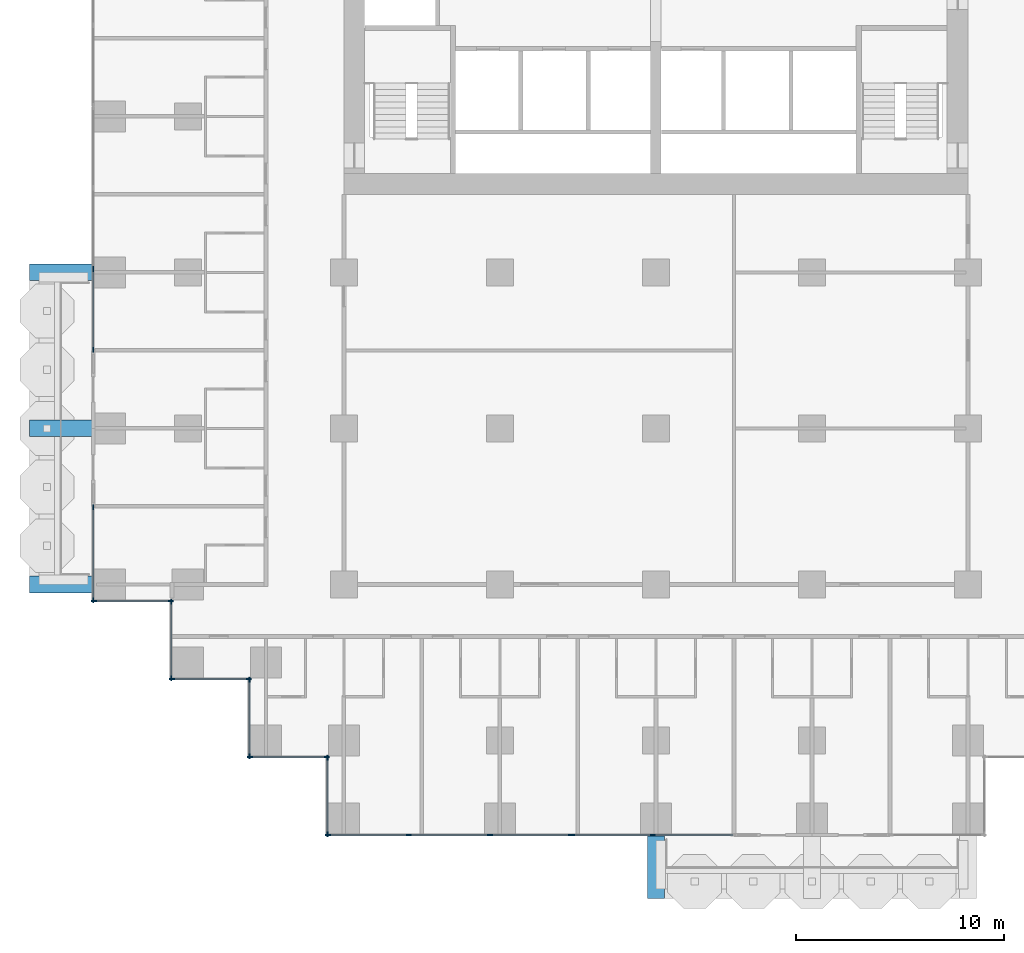
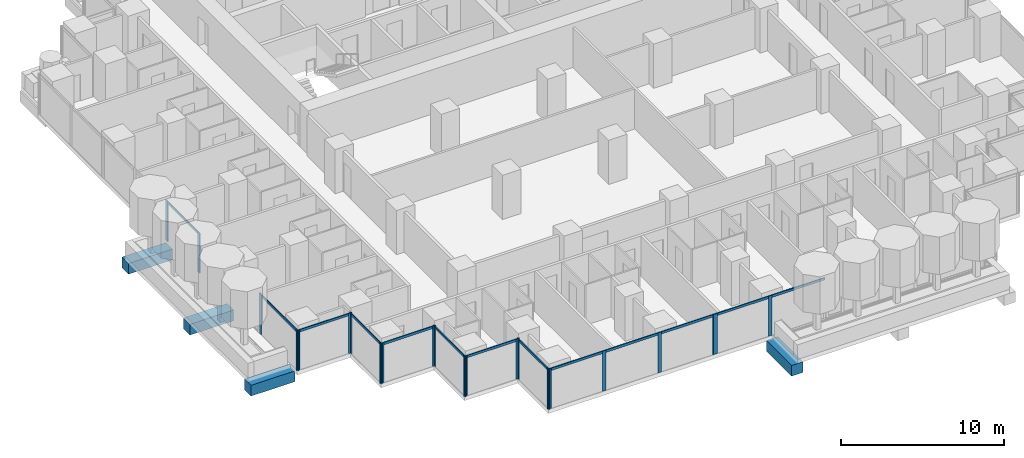
# One storey, part 2 of 20: 35 members, 4 beams, 10 elements without a shape of their own.
"""IFC4 building model written with IfcOpenShell, lengths in metres."""

import ifcopenshell
import ifcopenshell.guid

model = None  # the IFC model being written
_history = None  # IfcOwnerHistory: only IFC2X3 demands one
_inside = {}  # id of a spatial element -> (the spatial element, [elements in it])
_under = {}  # id of a project, library or spatial element -> (it, [spatial elements below it])
_declared = {}  # id of a project -> (the project, [libraries it declares])
_typed = {}  # id of a type object -> (the type object, [elements of that type])
_made_of = {}  # id of a material, layer set ... -> (it, [elements and type objects made of it])


def new_model(schema):
    """Start an empty IFC model of exactly this schema.

    Asked for "IFC4X3", IfcOpenShell would pick the latest addendum, in which some entities
    have other attributes; the version numbers below select the first issue.
    IFC2X3 requires an IfcOwnerHistory on every rooted entity: one is made here for all.
    """
    global model, _history
    if schema == "IFC4X3":
        model = ifcopenshell.file(schema_version=(4, 3, 0, 0))
    else:
        model = ifcopenshell.file(schema=schema)
    _inside.clear()
    _under.clear()
    _declared.clear()
    _typed.clear()
    _made_of.clear()
    _history = None
    if model.schema == "IFC2X3":
        org = make("IfcOrganization", Name="unknown")
        user = make(
            "IfcPersonAndOrganization",
            ThePerson=make("IfcPerson", FamilyName="unknown"),
            TheOrganization=org,
        )
        app = make(
            "IfcApplication",
            ApplicationDeveloper=org,
            Version="unknown",
            ApplicationFullName="unknown",
            ApplicationIdentifier="unknown",
        )
        _history = make(
            "IfcOwnerHistory",
            OwningUser=user,
            OwningApplication=app,
            ChangeAction="ADDED",
            CreationDate=0,
        )
    return model


def make(cls, **values):
    """One entity of the class cls with the attributes given. An attribute that is None is left unset."""
    return model.create_entity(
        cls, **{name: value for name, value in values.items() if value is not None}
    )


def rooted(cls, **values):
    """An entity with a GlobalId (a new one), such as an element, a storey or a relation."""
    return make(cls, GlobalId=ifcopenshell.guid.new(), OwnerHistory=_history, **values)


def si_unit(unit_type, name, prefix=None):
    """IfcSIUnit, for example si_unit("LENGTHUNIT", "METRE", prefix="MILLI")."""
    return make("IfcSIUnit", UnitType=unit_type, Prefix=prefix, Name=name)


def assignment(units):
    """IfcUnitAssignment: the units of a project."""
    return None if units is None else make("IfcUnitAssignment", Units=units)


def point(xyz):
    """IfcCartesianPoint."""
    return None if xyz is None else make("IfcCartesianPoint", Coordinates=xyz)


def direction(xyz):
    """IfcDirection."""
    return None if xyz is None else make("IfcDirection", DirectionRatios=xyz)


def frame(location, z_axis=None, x_axis=None):
    """IfcAxis2Placement3D, a coordinate frame: its origin and axes. An axis left out is left unset."""
    return make(
        "IfcAxis2Placement3D",
        Location=point(location),
        Axis=direction(z_axis),
        RefDirection=direction(x_axis),
    )


def frame_2d(location, x_axis=None):
    """IfcAxis2Placement2D, a coordinate frame in the plane: its origin and x axis."""
    return make(
        "IfcAxis2Placement2D", Location=point(location), RefDirection=direction(x_axis)
    )


def origin():
    """The frame at (0, 0, 0) with its axes left unset."""
    return frame((0.0, 0.0, 0.0))


def origin_2d():
    """The frame at (0, 0) in the plane with its x axis left unset."""
    return frame_2d((0.0, 0.0))


def place(relative_to, where):
    """IfcLocalPlacement: puts the frame where relative to a parent placement (None: the world)."""
    return make(
        "IfcLocalPlacement", PlacementRelTo=relative_to, RelativePlacement=where
    )


def context(
    kind, dimensions, precision=None, world=None, true_north=None, identifier=None
):
    """IfcGeometricRepresentationContext, for example the 3D "Model" context."""
    return make(
        "IfcGeometricRepresentationContext",
        ContextIdentifier=identifier,
        ContextType=kind,
        CoordinateSpaceDimension=dimensions,
        Precision=precision,
        WorldCoordinateSystem=world,
        TrueNorth=true_north,
    )


def subcontext(parent, identifier, kind, view, scale=None):
    """IfcGeometricRepresentationSubContext, for example "Body" below "Model"."""
    return make(
        "IfcGeometricRepresentationSubContext",
        ContextIdentifier=identifier,
        ContextType=kind,
        ParentContext=parent,
        TargetScale=scale,
        TargetView=view,
    )


def project(units=None, contexts=None):
    """IfcProject with its units and contexts."""
    return rooted(
        "IfcProject",
        Name="project",
        RepresentationContexts=contexts,
        UnitsInContext=assignment(units),
    )


def spatial(cls, under=None, at=None, **own):
    """A site, building, storey or space (cls), placed at a placement, below another one or the project."""
    s = rooted(cls, ObjectPlacement=at, **own)
    if under is not None:
        _under.setdefault(under.id(), (under, []))[1].append(s)
    return s


def profile(cls, at=None, kind="AREA", **sizes):
    """A parametric profile (cls). Its sizes go by their IFC names, for example OverallWidth=200.0."""
    return make(cls, ProfileType=kind, Position=at, **sizes)


def rectangle(**sizes):
    """IfcRectangleProfileDef."""
    return profile("IfcRectangleProfileDef", **sizes)


def extrude(swept, where, along, depth):
    """IfcExtrudedAreaSolid: the profile swept, set in the frame where, extruded along a direction by depth."""
    return make(
        "IfcExtrudedAreaSolid",
        SweptArea=swept,
        Position=where,
        ExtrudedDirection=direction(along),
        Depth=depth,
    )


def shape(context_of_items, identifier, shape_type, items):
    """IfcShapeRepresentation: the items that make up one representation, for example the "Body"."""
    return make(
        "IfcShapeRepresentation",
        ContextOfItems=context_of_items,
        RepresentationIdentifier=identifier,
        RepresentationType=shape_type,
        Items=items,
    )


def material(Name=None, Category=None):
    """IfcMaterial."""
    return make("IfcMaterial", Name=Name, Category=Category)


def material_profile(
    of_material, cross_section, Name=None, Category=None, Priority=None
):
    """IfcMaterialProfile: a cross section and its material."""
    return make(
        "IfcMaterialProfile",
        Name=Name,
        Material=of_material,
        Profile=cross_section,
        Priority=Priority,
        Category=Category,
    )


def profile_set(profiles, Name=None, composite=None):
    """IfcMaterialProfileSet."""
    return make(
        "IfcMaterialProfileSet",
        Name=Name,
        MaterialProfiles=profiles,
        CompositeProfile=composite,
    )


def made_of(thing, what):
    """Note that an element or type object is made of a material, layer set ...; save() writes the relation."""
    if what is not None:
        _made_of.setdefault(what.id(), (what, []))[1].append(thing)
    return thing


def type_object(cls, material=None, **own):
    """A type object (cls), such as IfcWallType, which elements share."""
    return made_of(rooted(cls, **own), material)


def element(
    cls,
    number,
    at=None,
    inside=None,
    cuts=None,
    type_object=None,
    material=None,
    context=None,
    identifier="Body",
    shape_type=None,
    held_by="IfcProductDefinitionShape",
    body=None,
    shapes=None,
    **own,
):
    """One element of the class cls, such as IfcWall. Its Tag is "e" and its number.

    at: its placement. inside: the storey or other place that contains it. cuts: it is an
    opening in that element (IfcRelVoidsElement). A single representation is given by context,
    identifier, shape_type and body (its items); several are given by shapes. held_by: the class
    of the entity that holds the representations. save() writes the other relations.
    """
    e = rooted(cls, Tag="e%d" % number, ObjectPlacement=at, **own)
    if body is not None:
        shapes = [shape(context, identifier, shape_type, body)]
    if shapes is not None:
        e.Representation = make(held_by, Representations=shapes)
    if inside is not None:
        _inside.setdefault(inside.id(), (inside, []))[1].append(e)
    if cuts is not None:
        rooted(
            "IfcRelVoidsElement", RelatingBuildingElement=cuts, RelatedOpeningElement=e
        )
    if type_object is not None:
        _typed.setdefault(type_object.id(), (type_object, []))[1].append(e)
    return made_of(e, material)


def aggregate(whole, parts):
    """IfcRelAggregates: a whole, such as a stair, and the parts it consists of."""
    return rooted("IfcRelAggregates", RelatingObject=whole, RelatedObjects=parts)


def save(model, path):
    """Write the relations noted so far, then the file.

    IfcRelAggregates (storeys below a building ...), IfcRelContainedInSpatialStructure (elements
    in a storey), IfcRelDefinesByType, IfcRelAssociatesMaterial and IfcRelDeclares: one each for
    every whole, place, type object, material and project.
    """
    for whole, parts in _under.values():
        aggregate(whole, parts)
    for where, things in _inside.values():
        rooted(
            "IfcRelContainedInSpatialStructure",
            RelatedElements=things,
            RelatingStructure=where,
        )
    for kind, things in _typed.values():
        rooted("IfcRelDefinesByType", RelatedObjects=things, RelatingType=kind)
    for what, things in _made_of.values():
        rooted("IfcRelAssociatesMaterial", RelatedObjects=things, RelatingMaterial=what)
    for by, libraries in _declared.values():
        rooted("IfcRelDeclares", RelatingContext=by, RelatedDefinitions=libraries)
    model.write(path)


model = new_model("IFC4")

# Units and contexts
model_context = context("Model", 3, precision=1e-05, world=origin(), true_north=direction((0.0, 1.0)))
body_context = subcontext(model_context, "Body", "Model", "MODEL_VIEW")
ifc_project = project(units=[si_unit("LENGTHUNIT", "METRE"), si_unit("AREAUNIT", "SQUARE_METRE"), si_unit("VOLUMEUNIT", "CUBIC_METRE"), si_unit("PLANEANGLEUNIT", "RADIAN"), si_unit("MASSUNIT", "GRAM", prefix="KILO")], contexts=[model_context])

# Site, building, storey
site_placement = place(None, origin())
site = spatial("IfcSite", under=ifc_project, at=site_placement, CompositionType="ELEMENT")
building_placement = place(site_placement, origin())
building = spatial("IfcBuilding", under=site, at=building_placement, Name="Pilkhan Gate Tower", CompositionType="ELEMENT")
storey_placement = place(building_placement, frame((0.0, 0.0, 85.699951171875)))
storey = spatial("IfcBuildingStorey", under=building, at=storey_placement, Name="L20", CompositionType="ELEMENT", Elevation=85.699951171875)

# Beams
ifc_material_1 = material(Name="Concrete C50/60", Category="concrete")
ifc_material_profile_1 = material_profile(ifc_material_1, rectangle(XDim=0.800048828125, YDim=0.800048828125, at=origin_2d()), Name="RC 800x800")
ifc_profile_set_1 = profile_set([ifc_material_profile_1], Name="Concrete C50/60")
beam_type = type_object("IfcBeamType", Name="Cantilever beam CB2 RC 800x800 C50/60", PredefinedType="BEAM", material=ifc_profile_set_1)
for number, where, z_axis, x_axis, name in (
    (1, (75.0, 40.5, -0.699951171875), (0.0, -1.0, 0.0), (1.0, 0.0, 0.0), "Balcony beam S.1 L20"),
    (2, (48.0, 52.5, -0.699951171875), (-1.0, 0.0, 0.0), (0.0, -1.0, 0.0), "Balcony beam W.1 L20"),
    (3, (48.0, 60.0, -0.699951171875), (-1.0, 0.0, 0.0), (0.0, -1.0, 0.0), "Balcony beam W.2 L20"),
    (4, (48.0, 67.5, -0.699951171875), (-1.0, 0.0, 0.0), (0.0, -1.0, 0.0), "Balcony beam W.3 L20"),
):
    element("IfcBeam", number, at=place(storey_placement, frame(where, z_axis=z_axis, x_axis=x_axis)), inside=storey, type_object=beam_type, Name=name, PredefinedType="BEAM", context=body_context, shape_type="SweptSolid", body=[
        extrude(rectangle(XDim=0.800048828125, YDim=0.800048828125, at=origin_2d()), origin(), (0.0, 0.0, 1.0), 3.10009765625),
    ])

# Curtain wall, members
ifc_material_2 = material(Name="Pale anodised aluminium, clear low-iron double glazing", Category="aluminium")
curtain_wall_type = type_object("IfcCurtainWallType", Name="Hotel unitised curtain wall CW-H", PredefinedType="USERDEFINED", material=ifc_material_2)
curtain_wall_1_placement = place(storey_placement, origin())
curtain_wall_1 = element("IfcCurtainWall", 5, at=curtain_wall_1_placement, inside=storey, type_object=curtain_wall_type, Name="Hotel unitised curtain wall CW-H L20 W", ObjectType="UNITISED CURTAIN WALL", PredefinedType="USERDEFINED")
ifc_material_3 = material(Name="Pale anodised aluminium", Category="aluminium")
ifc_material_profile_2 = material_profile(ifc_material_3, rectangle(XDim=0.06494140625, YDim=0.25, at=origin_2d()), Name="Mullion 250x65")
ifc_profile_set_2 = profile_set([ifc_material_profile_2], Name="Pale anodised aluminium")
member_type_1 = type_object("IfcMemberType", Name="Mullion CW-H 250x65", PredefinedType="MULLION", material=ifc_profile_set_2)
member_1_placement = place(storey_placement, frame((47.955078125, 51.737548828125, 0.0), z_axis=(0.0, 0.0, 1.0), x_axis=(-1.0, 0.0, 0.0)))
member_1 = element("IfcMember", 6, at=member_1_placement, type_object=member_type_1, Name="CW-H mullion 1", PredefinedType="MULLION", context=body_context, shape_type="SweptSolid", body=[
    extrude(rectangle(XDim=0.06494140625, YDim=0.25, at=origin_2d()), origin(), (0.0, 0.0, 1.0), 3.0),
])
member_2_placement = place(storey_placement, frame((47.955078125, 56.217529296875, 0.0), z_axis=(0.0, 0.0, 1.0), x_axis=(-1.0, 0.0, 0.0)))
member_2 = element("IfcMember", 7, at=member_2_placement, type_object=member_type_1, Name="CW-H mullion 2", PredefinedType="MULLION", context=body_context, shape_type="SweptSolid", body=[
    extrude(rectangle(XDim=0.06494140625, YDim=0.25, at=origin_2d()), origin(), (0.0, 0.0, 1.0), 3.0),
])

curtain_wall_2_placement = place(storey_placement, origin())
curtain_wall_2 = element("IfcCurtainWall", 8, at=curtain_wall_2_placement, inside=storey, type_object=curtain_wall_type, Name="Hotel unitised curtain wall CW-H L20 W", ObjectType="UNITISED CURTAIN WALL", PredefinedType="USERDEFINED")
member_3_placement = place(storey_placement, frame((47.955078125, 63.782470703125, 0.0), z_axis=(0.0, 0.0, 1.0), x_axis=(-1.0, 0.0, 0.0)))
member_3 = element("IfcMember", 9, at=member_3_placement, type_object=member_type_1, Name="CW-H mullion 1", PredefinedType="MULLION", context=body_context, shape_type="SweptSolid", body=[
    extrude(rectangle(XDim=0.06494140625, YDim=0.25, at=origin_2d()), origin(), (0.0, 0.0, 1.0), 3.0),
])
member_4_placement = place(storey_placement, frame((47.955078125, 67.658935546875, 0.0), z_axis=(0.0, 0.0, 1.0), x_axis=(-1.0, 0.0, 0.0)))
member_4 = element("IfcMember", 10, at=member_4_placement, type_object=member_type_1, Name="CW-H mullion 2", PredefinedType="MULLION", context=body_context, shape_type="SweptSolid", body=[
    extrude(rectangle(XDim=0.06494140625, YDim=0.25, at=origin_2d()), origin(), (0.0, 0.0, 1.0), 3.0),
])

curtain_wall_3_placement = place(storey_placement, origin())
curtain_wall_3 = element("IfcCurtainWall", 11, at=curtain_wall_3_placement, inside=storey, type_object=curtain_wall_type, Name="Hotel unitised curtain wall CW-H L20 S", ObjectType="UNITISED CURTAIN WALL", PredefinedType="USERDEFINED")
member_5_placement = place(storey_placement, frame((47.987548828125, 51.705078125, 0.0), z_axis=(0.0, 0.0, 1.0), x_axis=(0.0, 1.0, 0.0)))
member_5 = element("IfcMember", 12, at=member_5_placement, type_object=member_type_1, Name="CW-H mullion 1", PredefinedType="MULLION", context=body_context, shape_type="SweptSolid", body=[
    extrude(rectangle(XDim=0.06494140625, YDim=0.25, at=origin_2d()), origin(), (0.0, 0.0, 1.0), 3.0),
])
member_6_placement = place(storey_placement, frame((51.672607421875, 51.705078125, 0.0), z_axis=(0.0, 0.0, 1.0), x_axis=(0.0, 1.0, 0.0)))
member_6 = element("IfcMember", 13, at=member_6_placement, type_object=member_type_1, Name="CW-H mullion 2", PredefinedType="MULLION", context=body_context, shape_type="SweptSolid", body=[
    extrude(rectangle(XDim=0.06494140625, YDim=0.25, at=origin_2d()), origin(), (0.0, 0.0, 1.0), 3.0),
])

curtain_wall_4_placement = place(storey_placement, origin())
curtain_wall_4 = element("IfcCurtainWall", 14, at=curtain_wall_4_placement, inside=storey, type_object=curtain_wall_type, Name="Hotel unitised curtain wall CW-H L20 W", ObjectType="UNITISED CURTAIN WALL", PredefinedType="USERDEFINED")
member_7_placement = place(storey_placement, frame((51.705078125, 47.987548828125, 0.0), z_axis=(0.0, 0.0, 1.0), x_axis=(-1.0, 0.0, 0.0)))
member_7 = element("IfcMember", 15, at=member_7_placement, type_object=member_type_1, Name="CW-H mullion 1", PredefinedType="MULLION", context=body_context, shape_type="SweptSolid", body=[
    extrude(rectangle(XDim=0.06494140625, YDim=0.25, at=origin_2d()), origin(), (0.0, 0.0, 1.0), 3.0),
])
member_8_placement = place(storey_placement, frame((51.705078125, 51.672607421875, 0.0), z_axis=(0.0, 0.0, 1.0), x_axis=(-1.0, 0.0, 0.0)))
member_8 = element("IfcMember", 16, at=member_8_placement, type_object=member_type_1, Name="CW-H mullion 2", PredefinedType="MULLION", context=body_context, shape_type="SweptSolid", body=[
    extrude(rectangle(XDim=0.06494140625, YDim=0.25, at=origin_2d()), origin(), (0.0, 0.0, 1.0), 3.0),
])

curtain_wall_5_placement = place(storey_placement, origin())
curtain_wall_5 = element("IfcCurtainWall", 17, at=curtain_wall_5_placement, inside=storey, type_object=curtain_wall_type, Name="Hotel unitised curtain wall CW-H L20 S", ObjectType="UNITISED CURTAIN WALL", PredefinedType="USERDEFINED")
member_9_placement = place(storey_placement, frame((51.737548828125, 47.955078125, 0.0), z_axis=(0.0, 0.0, 1.0), x_axis=(0.0, 1.0, 0.0)))
member_9 = element("IfcMember", 18, at=member_9_placement, type_object=member_type_1, Name="CW-H mullion 1", PredefinedType="MULLION", context=body_context, shape_type="SweptSolid", body=[
    extrude(rectangle(XDim=0.06494140625, YDim=0.25, at=origin_2d()), origin(), (0.0, 0.0, 1.0), 3.0),
])
member_10_placement = place(storey_placement, frame((55.422607421875, 47.955078125, 0.0), z_axis=(0.0, 0.0, 1.0), x_axis=(0.0, 1.0, 0.0)))
member_10 = element("IfcMember", 19, at=member_10_placement, type_object=member_type_1, Name="CW-H mullion 2", PredefinedType="MULLION", context=body_context, shape_type="SweptSolid", body=[
    extrude(rectangle(XDim=0.06494140625, YDim=0.25, at=origin_2d()), origin(), (0.0, 0.0, 1.0), 3.0),
])

curtain_wall_6_placement = place(storey_placement, origin())
curtain_wall_6 = element("IfcCurtainWall", 20, at=curtain_wall_6_placement, inside=storey, type_object=curtain_wall_type, Name="Hotel unitised curtain wall CW-H L20 W", ObjectType="UNITISED CURTAIN WALL", PredefinedType="USERDEFINED")
member_11_placement = place(storey_placement, frame((55.455078125, 44.237548828125, 0.0), z_axis=(0.0, 0.0, 1.0), x_axis=(-1.0, 0.0, 0.0)))
member_11 = element("IfcMember", 21, at=member_11_placement, type_object=member_type_1, Name="CW-H mullion 1", PredefinedType="MULLION", context=body_context, shape_type="SweptSolid", body=[
    extrude(rectangle(XDim=0.06494140625, YDim=0.25, at=origin_2d()), origin(), (0.0, 0.0, 1.0), 3.0),
])
member_12_placement = place(storey_placement, frame((55.455078125, 47.922607421875, 0.0), z_axis=(0.0, 0.0, 1.0), x_axis=(-1.0, 0.0, 0.0)))
member_12 = element("IfcMember", 22, at=member_12_placement, type_object=member_type_1, Name="CW-H mullion 2", PredefinedType="MULLION", context=body_context, shape_type="SweptSolid", body=[
    extrude(rectangle(XDim=0.06494140625, YDim=0.25, at=origin_2d()), origin(), (0.0, 0.0, 1.0), 3.0),
])

curtain_wall_7_placement = place(storey_placement, origin())
curtain_wall_7 = element("IfcCurtainWall", 23, at=curtain_wall_7_placement, inside=storey, type_object=curtain_wall_type, Name="Hotel unitised curtain wall CW-H L20 S", ObjectType="UNITISED CURTAIN WALL", PredefinedType="USERDEFINED")
member_13_placement = place(storey_placement, frame((55.487548828125, 44.205078125, 0.0), z_axis=(0.0, 0.0, 1.0), x_axis=(0.0, 1.0, 0.0)))
member_13 = element("IfcMember", 24, at=member_13_placement, type_object=member_type_1, Name="CW-H mullion 1", PredefinedType="MULLION", context=body_context, shape_type="SweptSolid", body=[
    extrude(rectangle(XDim=0.06494140625, YDim=0.25, at=origin_2d()), origin(), (0.0, 0.0, 1.0), 3.0),
])
member_14_placement = place(storey_placement, frame((59.172607421875, 44.205078125, 0.0), z_axis=(0.0, 0.0, 1.0), x_axis=(0.0, 1.0, 0.0)))
member_14 = element("IfcMember", 25, at=member_14_placement, type_object=member_type_1, Name="CW-H mullion 2", PredefinedType="MULLION", context=body_context, shape_type="SweptSolid", body=[
    extrude(rectangle(XDim=0.06494140625, YDim=0.25, at=origin_2d()), origin(), (0.0, 0.0, 1.0), 3.0),
])

curtain_wall_8_placement = place(storey_placement, origin())
curtain_wall_8 = element("IfcCurtainWall", 26, at=curtain_wall_8_placement, inside=storey, type_object=curtain_wall_type, Name="Hotel unitised curtain wall CW-H L20 W", ObjectType="UNITISED CURTAIN WALL", PredefinedType="USERDEFINED")
member_15_placement = place(storey_placement, frame((59.205078125, 40.487548828125, 0.0), z_axis=(0.0, 0.0, 1.0), x_axis=(-1.0, 0.0, 0.0)))
member_15 = element("IfcMember", 27, at=member_15_placement, type_object=member_type_1, Name="CW-H mullion 1", PredefinedType="MULLION", context=body_context, shape_type="SweptSolid", body=[
    extrude(rectangle(XDim=0.06494140625, YDim=0.25, at=origin_2d()), origin(), (0.0, 0.0, 1.0), 3.0),
])
member_16_placement = place(storey_placement, frame((59.205078125, 44.172607421875, 0.0), z_axis=(0.0, 0.0, 1.0), x_axis=(-1.0, 0.0, 0.0)))
member_16 = element("IfcMember", 28, at=member_16_placement, type_object=member_type_1, Name="CW-H mullion 2", PredefinedType="MULLION", context=body_context, shape_type="SweptSolid", body=[
    extrude(rectangle(XDim=0.06494140625, YDim=0.25, at=origin_2d()), origin(), (0.0, 0.0, 1.0), 3.0),
])

curtain_wall_9_placement = place(storey_placement, origin())
curtain_wall_9 = element("IfcCurtainWall", 29, at=curtain_wall_9_placement, inside=storey, type_object=curtain_wall_type, Name="Hotel unitised curtain wall CW-H L20 S", ObjectType="UNITISED CURTAIN WALL", PredefinedType="USERDEFINED")
member_17_placement = place(storey_placement, frame((59.237548828125, 40.455078125, 0.0), z_axis=(0.0, 0.0, 1.0), x_axis=(0.0, 1.0, 0.0)))
member_17 = element("IfcMember", 30, at=member_17_placement, type_object=member_type_1, Name="CW-H mullion 1", PredefinedType="MULLION", context=body_context, shape_type="SweptSolid", body=[
    extrude(rectangle(XDim=0.06494140625, YDim=0.25, at=origin_2d()), origin(), (0.0, 0.0, 1.0), 3.0),
])
member_18_placement = place(storey_placement, frame((63.114013671875, 40.455078125, 0.0), z_axis=(0.0, 0.0, 1.0), x_axis=(0.0, 1.0, 0.0)))
member_18 = element("IfcMember", 31, at=member_18_placement, type_object=member_type_1, Name="CW-H mullion 2", PredefinedType="MULLION", context=body_context, shape_type="SweptSolid", body=[
    extrude(rectangle(XDim=0.06494140625, YDim=0.25, at=origin_2d()), origin(), (0.0, 0.0, 1.0), 3.0),
])
member_19_placement = place(storey_placement, frame((67.02294921875, 40.455078125, 0.0), z_axis=(0.0, 0.0, 1.0), x_axis=(0.0, 1.0, 0.0)))
member_19 = element("IfcMember", 32, at=member_19_placement, type_object=member_type_1, Name="CW-H mullion 3", PredefinedType="MULLION", context=body_context, shape_type="SweptSolid", body=[
    extrude(rectangle(XDim=0.06494140625, YDim=0.25, at=origin_2d()), origin(), (0.0, 0.0, 1.0), 3.0),
])
member_20_placement = place(storey_placement, frame((70.8994140625, 40.455078125, 0.0), z_axis=(0.0, 0.0, 1.0), x_axis=(0.0, 1.0, 0.0)))
member_20 = element("IfcMember", 33, at=member_20_placement, type_object=member_type_1, Name="CW-H mullion 4", PredefinedType="MULLION", context=body_context, shape_type="SweptSolid", body=[
    extrude(rectangle(XDim=0.06494140625, YDim=0.25, at=origin_2d()), origin(), (0.0, 0.0, 1.0), 3.0),
])

curtain_wall_10_placement = place(storey_placement, origin())
curtain_wall_10 = element("IfcCurtainWall", 34, at=curtain_wall_10_placement, inside=storey, type_object=curtain_wall_type, Name="Hotel unitised curtain wall CW-H L20 S", ObjectType="UNITISED CURTAIN WALL", PredefinedType="USERDEFINED")
member_21_placement = place(storey_placement, frame((70.964599609375, 40.455078125, 0.0), z_axis=(0.0, 0.0, 1.0), x_axis=(0.0, 1.0, 0.0)))
member_21 = element("IfcMember", 35, at=member_21_placement, type_object=member_type_1, Name="CW-H mullion 1", PredefinedType="MULLION", context=body_context, shape_type="SweptSolid", body=[
    extrude(rectangle(XDim=0.06494140625, YDim=0.25, at=origin_2d()), origin(), (0.0, 0.0, 1.0), 3.0),
])
member_22_placement = place(storey_placement, frame((74.841064453125, 40.455078125, 0.0), z_axis=(0.0, 0.0, 1.0), x_axis=(0.0, 1.0, 0.0)))
member_22 = element("IfcMember", 36, at=member_22_placement, type_object=member_type_1, Name="CW-H mullion 2", PredefinedType="MULLION", context=body_context, shape_type="SweptSolid", body=[
    extrude(rectangle(XDim=0.06494140625, YDim=0.25, at=origin_2d()), origin(), (0.0, 0.0, 1.0), 3.0),
])

# Member
ifc_material_profile_3 = material_profile(ifc_material_3, rectangle(XDim=0.06494140625, YDim=0.179931640625, at=origin_2d()), Name="Transom 180x65")
ifc_profile_set_3 = profile_set([ifc_material_profile_3], Name="Pale anodised aluminium")
member_type_2 = type_object("IfcMemberType", Name="Transom CW-H 180x65", PredefinedType="USERDEFINED", material=ifc_profile_set_3)
member_23_placement = place(storey_placement, frame((47.955078125, 51.77001953125, 2.91015625), z_axis=(0.0, 1.0, 0.0), x_axis=(-1.0, 0.0, 0.0)))
member_23 = element("IfcMember", 37, at=member_23_placement, type_object=member_type_2, Name="CW-H transom 1", ObjectType="TRANSOM", PredefinedType="USERDEFINED", context=body_context, shape_type="SweptSolid", body=[
    extrude(rectangle(XDim=0.06494140625, YDim=0.179931640625, at=origin_2d()), origin(), (0.0, 0.0, 1.0), 4.4150390625),
])

aggregate(curtain_wall_1, [member_1, member_2, member_23])

member_24_placement = place(storey_placement, frame((47.955078125, 63.81494140625, 2.91015625), z_axis=(0.0, 1.0, 0.0), x_axis=(-1.0, 0.0, 0.0)))
member_24 = element("IfcMember", 38, at=member_24_placement, type_object=member_type_2, Name="CW-H transom 1", ObjectType="TRANSOM", PredefinedType="USERDEFINED", context=body_context, shape_type="SweptSolid", body=[
    extrude(rectangle(XDim=0.06494140625, YDim=0.179931640625, at=origin_2d()), origin(), (0.0, 0.0, 1.0), 3.8115234375),
])

aggregate(curtain_wall_2, [member_3, member_4, member_24])

member_25_placement = place(storey_placement, frame((48.02001953125, 51.705078125, 2.91015625), z_axis=(1.0, 0.0, 0.0), x_axis=(0.0, 1.0, 0.0)))
member_25 = element("IfcMember", 39, at=member_25_placement, type_object=member_type_2, Name="CW-H transom 1", ObjectType="TRANSOM", PredefinedType="USERDEFINED", context=body_context, shape_type="SweptSolid", body=[
    extrude(rectangle(XDim=0.06494140625, YDim=0.179931640625, at=origin_2d()), origin(), (0.0, 0.0, 1.0), 3.619873046875),
])

aggregate(curtain_wall_3, [member_5, member_6, member_25])

member_26_placement = place(storey_placement, frame((51.705078125, 48.02001953125, 2.91015625), z_axis=(0.0, 1.0, 0.0), x_axis=(-1.0, 0.0, 0.0)))
member_26 = element("IfcMember", 40, at=member_26_placement, type_object=member_type_2, Name="CW-H transom 1", ObjectType="TRANSOM", PredefinedType="USERDEFINED", context=body_context, shape_type="SweptSolid", body=[
    extrude(rectangle(XDim=0.06494140625, YDim=0.179931640625, at=origin_2d()), origin(), (0.0, 0.0, 1.0), 3.619873046875),
])

aggregate(curtain_wall_4, [member_7, member_8, member_26])

member_27_placement = place(storey_placement, frame((51.77001953125, 47.955078125, 2.91015625), z_axis=(1.0, 0.0, 0.0), x_axis=(0.0, 1.0, 0.0)))
member_27 = element("IfcMember", 41, at=member_27_placement, type_object=member_type_2, Name="CW-H transom 1", ObjectType="TRANSOM", PredefinedType="USERDEFINED", context=body_context, shape_type="SweptSolid", body=[
    extrude(rectangle(XDim=0.06494140625, YDim=0.179931640625, at=origin_2d()), origin(), (0.0, 0.0, 1.0), 3.619873046875),
])

aggregate(curtain_wall_5, [member_9, member_10, member_27])

member_28_placement = place(storey_placement, frame((55.455078125, 44.27001953125, 2.91015625), z_axis=(0.0, 1.0, 0.0), x_axis=(-1.0, 0.0, 0.0)))
member_28 = element("IfcMember", 42, at=member_28_placement, type_object=member_type_2, Name="CW-H transom 1", ObjectType="TRANSOM", PredefinedType="USERDEFINED", context=body_context, shape_type="SweptSolid", body=[
    extrude(rectangle(XDim=0.06494140625, YDim=0.179931640625, at=origin_2d()), origin(), (0.0, 0.0, 1.0), 3.619873046875),
])

aggregate(curtain_wall_6, [member_11, member_12, member_28])

member_29_placement = place(storey_placement, frame((55.52001953125, 44.205078125, 2.91015625), z_axis=(1.0, 0.0, 0.0), x_axis=(0.0, 1.0, 0.0)))
member_29 = element("IfcMember", 43, at=member_29_placement, type_object=member_type_2, Name="CW-H transom 1", ObjectType="TRANSOM", PredefinedType="USERDEFINED", context=body_context, shape_type="SweptSolid", body=[
    extrude(rectangle(XDim=0.06494140625, YDim=0.179931640625, at=origin_2d()), origin(), (0.0, 0.0, 1.0), 3.619873046875),
])

aggregate(curtain_wall_7, [member_13, member_14, member_29])

member_30_placement = place(storey_placement, frame((59.205078125, 40.52001953125, 2.91015625), z_axis=(0.0, 1.0, 0.0), x_axis=(-1.0, 0.0, 0.0)))
member_30 = element("IfcMember", 44, at=member_30_placement, type_object=member_type_2, Name="CW-H transom 1", ObjectType="TRANSOM", PredefinedType="USERDEFINED", context=body_context, shape_type="SweptSolid", body=[
    extrude(rectangle(XDim=0.06494140625, YDim=0.179931640625, at=origin_2d()), origin(), (0.0, 0.0, 1.0), 3.619873046875),
])

aggregate(curtain_wall_8, [member_15, member_16, member_30])

member_31_placement = place(storey_placement, frame((59.27001953125, 40.455078125, 2.91015625), z_axis=(1.0, 0.0, 0.0), x_axis=(0.0, 1.0, 0.0)))
member_31 = element("IfcMember", 45, at=member_31_placement, type_object=member_type_2, Name="CW-H transom 1", ObjectType="TRANSOM", PredefinedType="USERDEFINED", context=body_context, shape_type="SweptSolid", body=[
    extrude(rectangle(XDim=0.06494140625, YDim=0.179931640625, at=origin_2d()), origin(), (0.0, 0.0, 1.0), 3.8115234375),
])

member_32_placement = place(storey_placement, frame((63.146484375, 40.455078125, 2.91015625), z_axis=(1.0, 0.0, 0.0), x_axis=(0.0, 1.0, 0.0)))
member_32 = element("IfcMember", 46, at=member_32_placement, type_object=member_type_2, Name="CW-H transom 2", ObjectType="TRANSOM", PredefinedType="USERDEFINED", context=body_context, shape_type="SweptSolid", body=[
    extrude(rectangle(XDim=0.06494140625, YDim=0.179931640625, at=origin_2d()), origin(), (0.0, 0.0, 1.0), 3.843994140625),
])

member_33_placement = place(storey_placement, frame((67.055419921875, 40.455078125, 2.91015625), z_axis=(1.0, 0.0, 0.0), x_axis=(0.0, 1.0, 0.0)))
member_33 = element("IfcMember", 47, at=member_33_placement, type_object=member_type_2, Name="CW-H transom 3", ObjectType="TRANSOM", PredefinedType="USERDEFINED", context=body_context, shape_type="SweptSolid", body=[
    extrude(rectangle(XDim=0.06494140625, YDim=0.179931640625, at=origin_2d()), origin(), (0.0, 0.0, 1.0), 3.8115234375),
])

aggregate(curtain_wall_9, [member_17, member_18, member_19, member_20, member_31, member_32, member_33])

member_34_placement = place(storey_placement, frame((70.9970703125, 40.455078125, 2.91015625), z_axis=(1.0, 0.0, 0.0), x_axis=(0.0, 1.0, 0.0)))
member_34 = element("IfcMember", 48, at=member_34_placement, type_object=member_type_2, Name="CW-H transom 1", ObjectType="TRANSOM", PredefinedType="USERDEFINED", context=body_context, shape_type="SweptSolid", body=[
    extrude(rectangle(XDim=0.06494140625, YDim=0.179931640625, at=origin_2d()), origin(), (0.0, 0.0, 1.0), 3.8115234375),
])

member_35_placement = place(storey_placement, frame((74.87353515625, 40.455078125, 2.91015625), z_axis=(1.0, 0.0, 0.0), x_axis=(0.0, 1.0, 0.0)))
member_35 = element("IfcMember", 49, at=member_35_placement, type_object=member_type_2, Name="CW-H transom 2", ObjectType="TRANSOM", PredefinedType="USERDEFINED", context=body_context, shape_type="SweptSolid", body=[
    extrude(rectangle(XDim=0.06494140625, YDim=0.179931640625, at=origin_2d()), origin(), (0.0, 0.0, 1.0), 3.8115234375),
])

aggregate(curtain_wall_10, [member_21, member_22, member_34, member_35])

save(model, "model.ifc")
